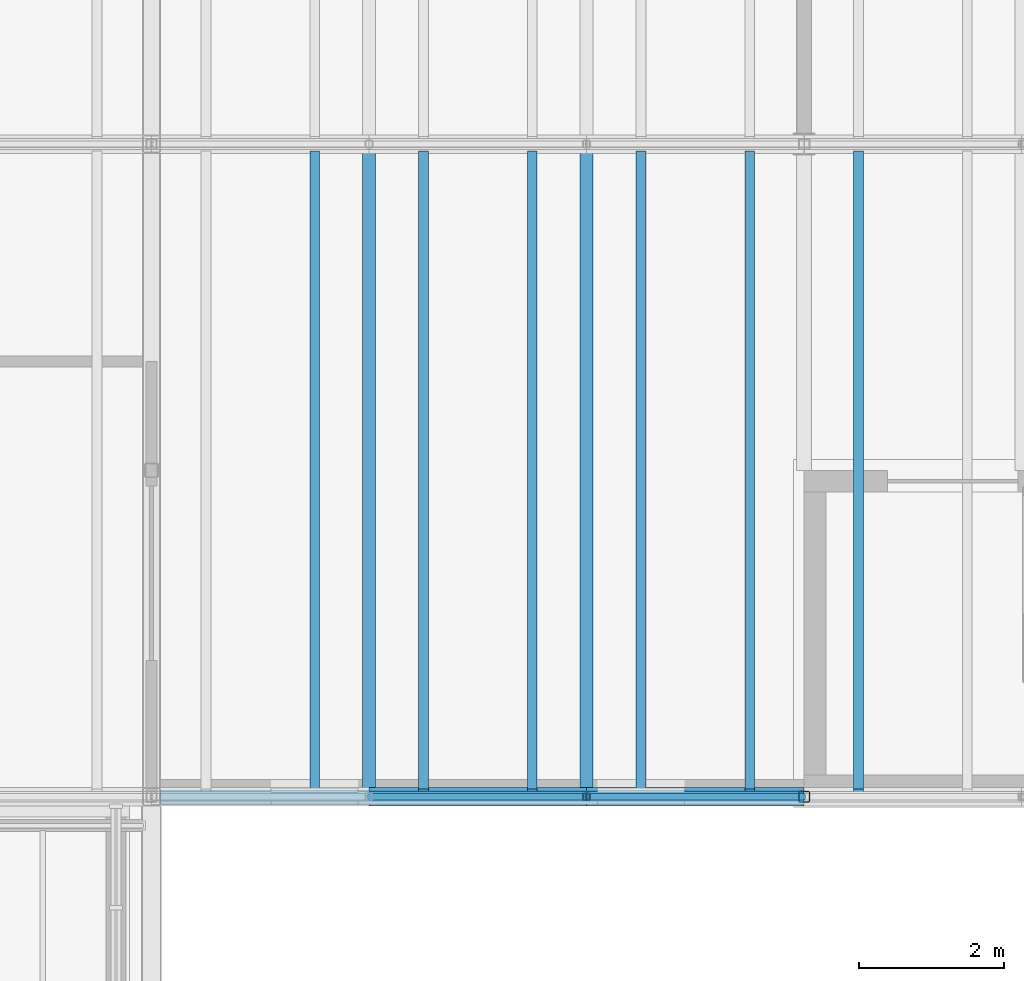
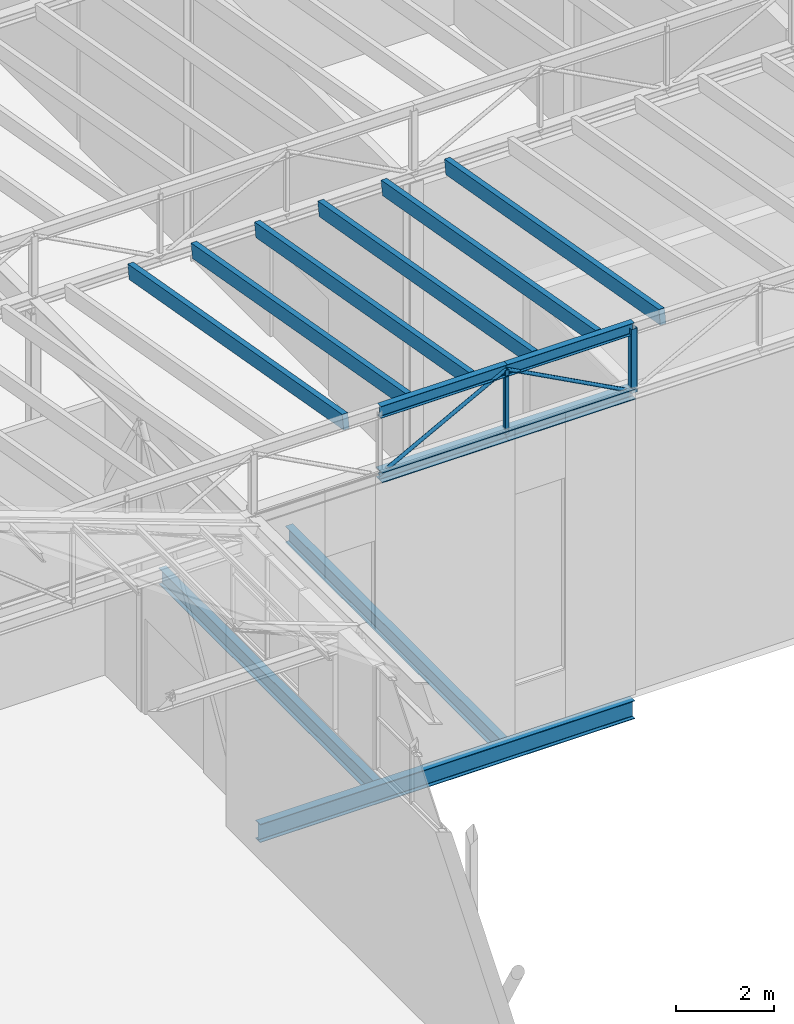
# One storey, part 33 of 90: 14 members, 3 beams.
"""IFC4 building model written with IfcOpenShell, lengths in metres."""

import ifcopenshell
import ifcopenshell.guid

model = None  # the IFC model being written
_history = None  # IfcOwnerHistory: only IFC2X3 demands one
_inside = {}  # id of a spatial element -> (the spatial element, [elements in it])
_under = {}  # id of a project, library or spatial element -> (it, [spatial elements below it])
_declared = {}  # id of a project -> (the project, [libraries it declares])
_typed = {}  # id of a type object -> (the type object, [elements of that type])
_made_of = {}  # id of a material, layer set ... -> (it, [elements and type objects made of it])


def new_model(schema):
    """Start an empty IFC model of exactly this schema.

    Asked for "IFC4X3", IfcOpenShell would pick the latest addendum, in which some entities
    have other attributes; the version numbers below select the first issue.
    IFC2X3 requires an IfcOwnerHistory on every rooted entity: one is made here for all.
    """
    global model, _history
    if schema == "IFC4X3":
        model = ifcopenshell.file(schema_version=(4, 3, 0, 0))
    else:
        model = ifcopenshell.file(schema=schema)
    _inside.clear()
    _under.clear()
    _declared.clear()
    _typed.clear()
    _made_of.clear()
    _history = None
    if model.schema == "IFC2X3":
        org = make("IfcOrganization", Name="unknown")
        user = make(
            "IfcPersonAndOrganization",
            ThePerson=make("IfcPerson", FamilyName="unknown"),
            TheOrganization=org,
        )
        app = make(
            "IfcApplication",
            ApplicationDeveloper=org,
            Version="unknown",
            ApplicationFullName="unknown",
            ApplicationIdentifier="unknown",
        )
        _history = make(
            "IfcOwnerHistory",
            OwningUser=user,
            OwningApplication=app,
            ChangeAction="ADDED",
            CreationDate=0,
        )
    return model


def make(cls, **values):
    """One entity of the class cls with the attributes given. An attribute that is None is left unset."""
    return model.create_entity(
        cls, **{name: value for name, value in values.items() if value is not None}
    )


def rooted(cls, **values):
    """An entity with a GlobalId (a new one), such as an element, a storey or a relation."""
    return make(cls, GlobalId=ifcopenshell.guid.new(), OwnerHistory=_history, **values)


def si_unit(unit_type, name, prefix=None):
    """IfcSIUnit, for example si_unit("LENGTHUNIT", "METRE", prefix="MILLI")."""
    return make("IfcSIUnit", UnitType=unit_type, Prefix=prefix, Name=name)


def assignment(units):
    """IfcUnitAssignment: the units of a project."""
    return None if units is None else make("IfcUnitAssignment", Units=units)


def point(xyz):
    """IfcCartesianPoint."""
    return None if xyz is None else make("IfcCartesianPoint", Coordinates=xyz)


def direction(xyz):
    """IfcDirection."""
    return None if xyz is None else make("IfcDirection", DirectionRatios=xyz)


def frame(location, z_axis=None, x_axis=None):
    """IfcAxis2Placement3D, a coordinate frame: its origin and axes. An axis left out is left unset."""
    return make(
        "IfcAxis2Placement3D",
        Location=point(location),
        Axis=direction(z_axis),
        RefDirection=direction(x_axis),
    )


def frame_2d(location, x_axis=None):
    """IfcAxis2Placement2D, a coordinate frame in the plane: its origin and x axis."""
    return make(
        "IfcAxis2Placement2D", Location=point(location), RefDirection=direction(x_axis)
    )


def origin():
    """The frame at (0, 0, 0) with its axes left unset."""
    return frame((0.0, 0.0, 0.0))


def origin_2d():
    """The frame at (0, 0) in the plane with its x axis left unset."""
    return frame_2d((0.0, 0.0))


def place(relative_to, where):
    """IfcLocalPlacement: puts the frame where relative to a parent placement (None: the world)."""
    return make(
        "IfcLocalPlacement", PlacementRelTo=relative_to, RelativePlacement=where
    )


def context(
    kind, dimensions, precision=None, world=None, true_north=None, identifier=None
):
    """IfcGeometricRepresentationContext, for example the 3D "Model" context."""
    return make(
        "IfcGeometricRepresentationContext",
        ContextIdentifier=identifier,
        ContextType=kind,
        CoordinateSpaceDimension=dimensions,
        Precision=precision,
        WorldCoordinateSystem=world,
        TrueNorth=true_north,
    )


def subcontext(parent, identifier, kind, view, scale=None):
    """IfcGeometricRepresentationSubContext, for example "Body" below "Model"."""
    return make(
        "IfcGeometricRepresentationSubContext",
        ContextIdentifier=identifier,
        ContextType=kind,
        ParentContext=parent,
        TargetScale=scale,
        TargetView=view,
    )


def project(units=None, contexts=None):
    """IfcProject with its units and contexts."""
    return rooted(
        "IfcProject",
        Name="project",
        RepresentationContexts=contexts,
        UnitsInContext=assignment(units),
    )


def spatial(cls, under=None, at=None, **own):
    """A site, building, storey or space (cls), placed at a placement, below another one or the project."""
    s = rooted(cls, ObjectPlacement=at, **own)
    if under is not None:
        _under.setdefault(under.id(), (under, []))[1].append(s)
    return s


def profile(cls, at=None, kind="AREA", **sizes):
    """A parametric profile (cls). Its sizes go by their IFC names, for example OverallWidth=200.0."""
    return make(cls, ProfileType=kind, Position=at, **sizes)


def rectangle(**sizes):
    """IfcRectangleProfileDef."""
    return profile("IfcRectangleProfileDef", **sizes)


def hollow_rectangle(**sizes):
    """IfcRectangleHollowProfileDef."""
    return profile("IfcRectangleHollowProfileDef", **sizes)


def hollow_circle(**sizes):
    """IfcCircleHollowProfileDef."""
    return profile("IfcCircleHollowProfileDef", **sizes)


def i_section(**sizes):
    """IfcIShapeProfileDef."""
    return profile("IfcIShapeProfileDef", **sizes)


def extrude(swept, where, along, depth):
    """IfcExtrudedAreaSolid: the profile swept, set in the frame where, extruded along a direction by depth."""
    return make(
        "IfcExtrudedAreaSolid",
        SweptArea=swept,
        Position=where,
        ExtrudedDirection=direction(along),
        Depth=depth,
    )


def shape(context_of_items, identifier, shape_type, items):
    """IfcShapeRepresentation: the items that make up one representation, for example the "Body"."""
    return make(
        "IfcShapeRepresentation",
        ContextOfItems=context_of_items,
        RepresentationIdentifier=identifier,
        RepresentationType=shape_type,
        Items=items,
    )


def material(Name=None, Category=None):
    """IfcMaterial."""
    return make("IfcMaterial", Name=Name, Category=Category)


def material_profile(
    of_material, cross_section, Name=None, Category=None, Priority=None
):
    """IfcMaterialProfile: a cross section and its material."""
    return make(
        "IfcMaterialProfile",
        Name=Name,
        Material=of_material,
        Profile=cross_section,
        Priority=Priority,
        Category=Category,
    )


def profile_set(profiles, Name=None, composite=None):
    """IfcMaterialProfileSet."""
    return make(
        "IfcMaterialProfileSet",
        Name=Name,
        MaterialProfiles=profiles,
        CompositeProfile=composite,
    )


def made_of(thing, what):
    """Note that an element or type object is made of a material, layer set ...; save() writes the relation."""
    if what is not None:
        _made_of.setdefault(what.id(), (what, []))[1].append(thing)
    return thing


def type_object(cls, material=None, **own):
    """A type object (cls), such as IfcWallType, which elements share."""
    return made_of(rooted(cls, **own), material)


def element(
    cls,
    number,
    at=None,
    inside=None,
    cuts=None,
    type_object=None,
    material=None,
    context=None,
    identifier="Body",
    shape_type=None,
    held_by="IfcProductDefinitionShape",
    body=None,
    shapes=None,
    **own,
):
    """One element of the class cls, such as IfcWall. Its Tag is "e" and its number.

    at: its placement. inside: the storey or other place that contains it. cuts: it is an
    opening in that element (IfcRelVoidsElement). A single representation is given by context,
    identifier, shape_type and body (its items); several are given by shapes. held_by: the class
    of the entity that holds the representations. save() writes the other relations.
    """
    e = rooted(cls, Tag="e%d" % number, ObjectPlacement=at, **own)
    if body is not None:
        shapes = [shape(context, identifier, shape_type, body)]
    if shapes is not None:
        e.Representation = make(held_by, Representations=shapes)
    if inside is not None:
        _inside.setdefault(inside.id(), (inside, []))[1].append(e)
    if cuts is not None:
        rooted(
            "IfcRelVoidsElement", RelatingBuildingElement=cuts, RelatedOpeningElement=e
        )
    if type_object is not None:
        _typed.setdefault(type_object.id(), (type_object, []))[1].append(e)
    return made_of(e, material)


def aggregate(whole, parts):
    """IfcRelAggregates: a whole, such as a stair, and the parts it consists of."""
    return rooted("IfcRelAggregates", RelatingObject=whole, RelatedObjects=parts)


def save(model, path):
    """Write the relations noted so far, then the file.

    IfcRelAggregates (storeys below a building ...), IfcRelContainedInSpatialStructure (elements
    in a storey), IfcRelDefinesByType, IfcRelAssociatesMaterial and IfcRelDeclares: one each for
    every whole, place, type object, material and project.
    """
    for whole, parts in _under.values():
        aggregate(whole, parts)
    for where, things in _inside.values():
        rooted(
            "IfcRelContainedInSpatialStructure",
            RelatedElements=things,
            RelatingStructure=where,
        )
    for kind, things in _typed.values():
        rooted("IfcRelDefinesByType", RelatedObjects=things, RelatingType=kind)
    for what, things in _made_of.values():
        rooted("IfcRelAssociatesMaterial", RelatedObjects=things, RelatingMaterial=what)
    for by, libraries in _declared.values():
        rooted("IfcRelDeclares", RelatingContext=by, RelatedDefinitions=libraries)
    model.write(path)


model = new_model("IFC4")

# Units and contexts
model_context = context("Model", 3, precision=1e-05, world=origin(), true_north=direction((0.0, 1.0)))
body_context = subcontext(model_context, "Body", "Model", "MODEL_VIEW")
ifc_project = project(units=[si_unit("LENGTHUNIT", "METRE"), si_unit("AREAUNIT", "SQUARE_METRE"), si_unit("VOLUMEUNIT", "CUBIC_METRE"), si_unit("PLANEANGLEUNIT", "RADIAN"), si_unit("MASSUNIT", "GRAM", prefix="KILO")], contexts=[model_context])

# Site, building, storey
site_placement = place(None, origin())
site = spatial("IfcSite", under=ifc_project, at=site_placement, CompositionType="ELEMENT")
building_placement = place(site_placement, origin())
building = spatial("IfcBuilding", under=site, at=building_placement, Name="Halyard Row Museum", CompositionType="ELEMENT")
storey_placement = place(building_placement, frame((0.0, 0.0, 13.39990234375)))
storey = spatial("IfcBuildingStorey", under=building, at=storey_placement, Name="L03", CompositionType="ELEMENT", Elevation=13.39990234375)

# Beam
ifc_material_1 = material(Name="Steel Grade 300", Category="steel")
ifc_material_profile_1 = material_profile(ifc_material_1, i_section(OverallWidth=0.18994140625, OverallDepth=0.45751953125, WebThickness=0.009033203125, FlangeThickness=0.014404296875, FilletRadius=0.011474609375, at=origin_2d()), Name="460UB74.6")
ifc_profile_set_1 = profile_set([ifc_material_profile_1], Name="Steel Grade 300")
beam_type_1 = type_object("IfcBeamType", Name="Edge beam 460UB74.6", PredefinedType="BEAM", material=ifc_profile_set_1)
beam_placement = place(storey_placement, frame((54.125, 18.0, -0.3935546875), z_axis=(1.0, 0.0, 0.0), x_axis=(0.0, 1.0, 0.0)))
element("IfcBeam", 1, at=beam_placement, inside=storey, type_object=beam_type_1, Name="Beam L03-015", PredefinedType="BEAM", context=body_context, shape_type="SweptSolid", body=[
    extrude(i_section(OverallWidth=0.18994140625, OverallDepth=0.45751953125, WebThickness=0.009033203125, FlangeThickness=0.014404296875, FilletRadius=0.011474609375, at=origin_2d()), origin(), (0.0, 0.0, 1.0), 8.875),
])

# Members
ifc_material_2 = material(Name="Glulam GL12 radiata pine", Category="wood")
ifc_material_profile_2 = material_profile(ifc_material_2, rectangle(XDim=0.135009765625, YDim=0.360107421875, at=origin_2d()), Name="GL12 135x360")
ifc_profile_set_2 = profile_set([ifc_material_profile_2], Name="Glulam GL12 radiata pine")
member_type_1 = type_object("IfcMemberType", Name="Rafter GL12 135x360", PredefinedType="RAFTER", material=ifc_profile_set_2)
for number, where, z_axis, x_axis, name in (
    (2, (56.25, 18.074462890625, 9.083984375), (0.0, 0.984562193919, -0.175035100209), (-1.0, 0.0, 0.0), "Rafter V1-T1a.20"),
    (3, (57.75, 18.074462890625, 9.083984375), (0.0, 0.984562193919, -0.175035100209), (-1.0, 0.0, 0.0), "Rafter V1-T1a.21"),
    (4, (59.25, 18.074462890625, 9.083984375), (0.0, 0.984562193919, -0.175035100209), (-1.0, 0.0, 0.0), "Rafter V1-T1a.22"),
    (5, (60.75, 18.074462890625, 9.083984375), (0.0, 0.984562193919, -0.175035100209), (-1.0, 0.0, 0.0), "Rafter V1-T1a.23"),
    (6, (62.25, 18.074462890625, 9.083984375), (0.0, 0.984562193919, -0.175035100209), (-1.0, 0.0, 0.0), "Rafter V1-T1a.24"),
    (7, (63.75, 18.074462890625, 9.083984375), (0.0, 0.984562193919, -0.175035100209), (-1.0, 0.0, 0.0), "Rafter V1-T1a.25"),
):
    element("IfcMember", number, at=place(storey_placement, frame(where, z_axis=z_axis, x_axis=x_axis)), inside=storey, type_object=member_type_1, Name=name, PredefinedType="RAFTER", context=body_context, shape_type="SweptSolid", body=[
        extrude(rectangle(XDim=0.135009765625, YDim=0.360107421875, at=origin_2d()), origin(), (0.0, 0.0, 1.0), 8.9365234375),
    ])

# Beams
ifc_material_3 = material(Name="Steel Grade 300", Category="steel")
ifc_material_profile_3 = material_profile(ifc_material_3, i_section(OverallWidth=0.177978515625, OverallDepth=0.406494140625, WebThickness=0.0078125, FlangeThickness=0.0126953125, FilletRadius=0.011474609375, at=origin_2d()), Name="410UB59.7")
ifc_profile_set_3 = profile_set([ifc_material_profile_3], Name="Steel Grade 300")
beam_type_2 = type_object("IfcBeamType", Name="Secondary beam 410UB59.7", PredefinedType="BEAM", material=ifc_profile_set_3)
for number, where, z_axis, x_axis, name in (
    (8, (57.0, 18.094970703125, -0.3681640625), (0.0, 1.0, 0.0), (-1.0, 0.0, 0.0), "Beam L03-085"),
    (9, (60.0, 18.094970703125, -0.3681640625), (0.0, 1.0, 0.0), (-1.0, 0.0, 0.0), "Beam L03-086"),
):
    element("IfcBeam", number, at=place(storey_placement, frame(where, z_axis=z_axis, x_axis=x_axis)), inside=storey, type_object=beam_type_2, Name=name, PredefinedType="BEAM", context=body_context, shape_type="SweptSolid", body=[
        extrude(i_section(OverallWidth=0.177978515625, OverallDepth=0.406494140625, WebThickness=0.0078125, FlangeThickness=0.0126953125, FilletRadius=0.011474609375, at=origin_2d()), origin(), (0.0, 0.0, 1.0), 8.800537109375),
    ])

# Members
ifc_material_4 = material(Name="Steel Grade 300", Category="steel")
ifc_material_profile_4 = material_profile(ifc_material_4, i_section(OverallWidth=0.25390625, OverallDepth=0.25390625, WebThickness=0.008544921875, FlangeThickness=0.01416015625, FilletRadius=0.013916015625, at=origin_2d()), Name="250UC72.9")
ifc_profile_set_4 = profile_set([ifc_material_profile_4], Name="Steel Grade 300")
member_type_2 = type_object("IfcMemberType", Name="Valley truss bottom chord 250UC72.9", PredefinedType="CHORD", material=ifc_profile_set_4)
for number, where, z_axis, x_axis, name in (
    (10, (57.0, 18.0, 7.527099609375), (1.0, 0.0, 0.0), (0.0, 1.0, 0.0), "V1-VT1 bottom chord 4.2"),
    (11, (60.0, 18.0, 7.527099609375), (1.0, 0.0, 0.0), (0.0, 1.0, 0.0), "V1-VT1 bottom chord 4.3"),
):
    element("IfcMember", number, at=place(storey_placement, frame(where, z_axis=z_axis, x_axis=x_axis)), inside=storey, type_object=member_type_2, Name=name, PredefinedType="CHORD", context=body_context, shape_type="SweptSolid", body=[
        extrude(i_section(OverallWidth=0.25390625, OverallDepth=0.25390625, WebThickness=0.008544921875, FlangeThickness=0.01416015625, FilletRadius=0.013916015625, at=origin_2d()), origin(), (0.0, 0.0, 1.0), 3.0),
    ])
ifc_material_5 = material(Name="Steel Grade C250L0", Category="steel")
ifc_material_profile_5 = material_profile(ifc_material_5, hollow_circle(Radius=0.04443359375, WallThickness=0.0048828125, at=origin_2d()), Name="88.9x5.0CHS")
ifc_profile_set_5 = profile_set([ifc_material_profile_5], Name="Steel Grade C250L0")
member_type_3 = type_object("IfcMemberType", Name="Valley truss diagonal 88.9x5.0CHS", PredefinedType="BRACE", material=ifc_profile_set_5)
for number, where, z_axis, x_axis, name in (
    (12, (57.0, 18.0, 7.527099609375), (0.881863759518, 0.0, 0.471504305016), (0.0, 1.0, 0.0), "V1-VT1 diagonal 4.2"),
    (13, (60.0, 18.0, 9.131103515625), (0.881863759518, 0.0, -0.471504305016), (0.0, 1.0, 0.0), "V1-VT1 diagonal 4.3"),
):
    element("IfcMember", number, at=place(storey_placement, frame(where, z_axis=z_axis, x_axis=x_axis)), inside=storey, type_object=member_type_3, Name=name, PredefinedType="BRACE", context=body_context, shape_type="SweptSolid", body=[
        extrude(hollow_circle(Radius=0.04443359375, WallThickness=0.0048828125, at=origin_2d()), origin(), (0.0, 0.0, 1.0), 3.40185546875),
    ])
ifc_material_6 = material(Name="Steel Grade C350L0", Category="steel")
ifc_material_profile_6 = material_profile(ifc_material_6, hollow_rectangle(XDim=0.10009765625, YDim=0.10009765625, WallThickness=0.006103515625, InnerFilletRadius=0.009033203125, OuterFilletRadius=0.014892578125, at=origin_2d()), Name="100x100x6.0SHS")
ifc_profile_set_6 = profile_set([ifc_material_profile_6], Name="Steel Grade C350L0")
member_type_4 = type_object("IfcMemberType", Name="Valley truss post 100x100x6.0SHS", PredefinedType="POST", material=ifc_profile_set_6)
member_1_placement = place(storey_placement, frame((60.0, 18.0, 7.527099609375), z_axis=(0.0, 0.0, 1.0), x_axis=(1.0, 0.0, 0.0)))
element("IfcMember", 14, at=member_1_placement, inside=storey, type_object=member_type_4, Name="V1-VT1 post 4.2", PredefinedType="POST", context=body_context, shape_type="SweptSolid", body=[
    extrude(hollow_rectangle(XDim=0.10009765625, YDim=0.10009765625, WallThickness=0.006103515625, InnerFilletRadius=0.009033203125, OuterFilletRadius=0.014892578125, at=origin_2d()), origin(), (0.0, 0.0, 1.0), 1.60400390625),
])
ifc_material_7 = material(Name="Steel Grade C350L0", Category="steel")
ifc_material_profile_7 = material_profile(ifc_material_7, hollow_rectangle(XDim=0.14990234375, YDim=0.14990234375, WallThickness=0.006103515625, InnerFilletRadius=0.009033203125, OuterFilletRadius=0.014892578125, at=origin_2d()), Name="150x150x6.0SHS")
ifc_profile_set_7 = profile_set([ifc_material_profile_7], Name="Steel Grade C350L0")
member_type_5 = type_object("IfcMemberType", Name="Valley truss post 150x150x6.0SHS", PredefinedType="POST", material=ifc_profile_set_7)
member_2_placement = place(storey_placement, frame((63.0, 18.0, 7.527099609375), z_axis=(0.0, 0.0, 1.0), x_axis=(1.0, 0.0, 0.0)))
element("IfcMember", 15, at=member_2_placement, inside=storey, type_object=member_type_5, Name="V1-VT1 post 4.3", PredefinedType="POST", context=body_context, shape_type="SweptSolid", body=[
    extrude(hollow_rectangle(XDim=0.14990234375, YDim=0.14990234375, WallThickness=0.006103515625, InnerFilletRadius=0.009033203125, OuterFilletRadius=0.014892578125, at=origin_2d()), origin(), (0.0, 0.0, 1.0), 1.60400390625),
])
ifc_material_8 = material(Name="Steel Grade 300", Category="steel")
ifc_material_profile_8 = material_profile(ifc_material_8, i_section(OverallWidth=0.14892578125, OverallDepth=0.298095703125, WebThickness=0.005615234375, FlangeThickness=0.008056640625, FilletRadius=0.012939453125, at=origin_2d()), Name="310UB32.0")
ifc_profile_set_8 = profile_set([ifc_material_profile_8], Name="Steel Grade 300")
member_type_6 = type_object("IfcMemberType", Name="Valley truss top chord 310UB32.0", PredefinedType="CHORD", material=ifc_profile_set_8)
for number, where, z_axis, x_axis, name in (
    (16, (57.0, 18.0, 9.131103515625), (1.0, 0.0, 0.0), (0.0, 1.0, 0.0), "V1-VT1 top chord 4.2"),
    (17, (60.0, 18.0, 9.131103515625), (1.0, 0.0, 0.0), (0.0, 1.0, 0.0), "V1-VT1 top chord 4.3"),
):
    element("IfcMember", number, at=place(storey_placement, frame(where, z_axis=z_axis, x_axis=x_axis)), inside=storey, type_object=member_type_6, Name=name, PredefinedType="CHORD", context=body_context, shape_type="SweptSolid", body=[
        extrude(i_section(OverallWidth=0.14892578125, OverallDepth=0.298095703125, WebThickness=0.005615234375, FlangeThickness=0.008056640625, FilletRadius=0.012939453125, at=origin_2d()), origin(), (0.0, 0.0, 1.0), 3.0),
    ])

save(model, "model.ifc")
